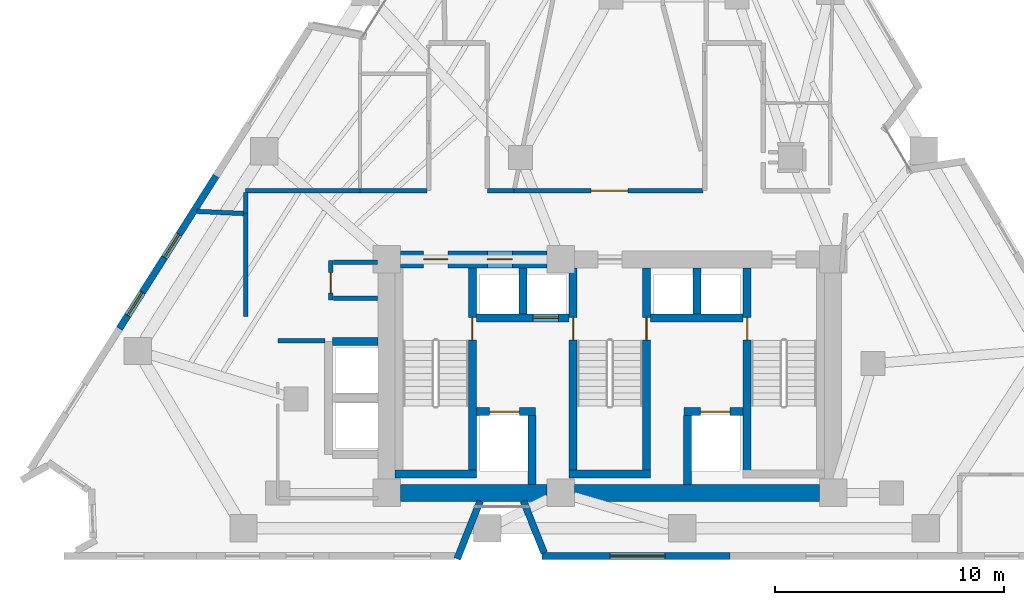
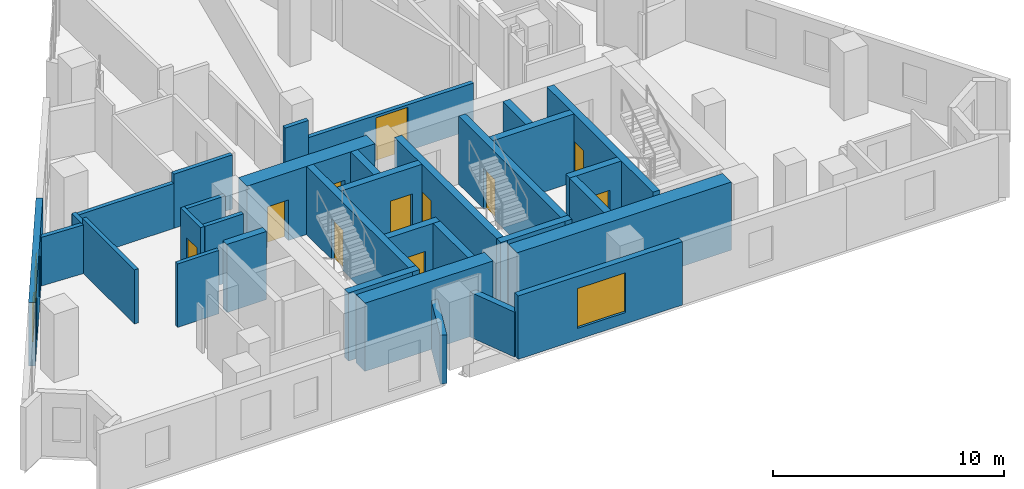
# One storey, part 6 of 11: 33 walls, 11 doors, 3 windows, 14 openings.
"""IFC4 building model written with IfcOpenShell, lengths in metres."""

from ifc_helpers import new_model, si_unit, direction, frame, frame_2d, origin, place, context, subcontext, project, spatial, rectangle, extrude, material, layer, layer_set, type_object, element, fill, save


model = new_model("IFC4")

# Units and contexts
model_context = context("Model", 3, precision=1e-05, world=origin(), true_north=direction((0.0, 1.0)))
body_context = subcontext(model_context, "Body", "Model", "MODEL_VIEW")
ifc_project = project(units=[si_unit("LENGTHUNIT", "METRE"), si_unit("AREAUNIT", "SQUARE_METRE"), si_unit("VOLUMEUNIT", "CUBIC_METRE"), si_unit("PLANEANGLEUNIT", "RADIAN"), si_unit("MASSUNIT", "GRAM", prefix="KILO")], contexts=[model_context])

# Site, building, storey
site_placement = place(None, origin())
site = spatial("IfcSite", under=ifc_project, at=site_placement, CompositionType="ELEMENT")
building_placement = place(site_placement, origin())
building = spatial("IfcBuilding", under=site, at=building_placement, Name="Almagre Mirador Tower", CompositionType="ELEMENT")
storey_placement = place(building_placement, frame((0.0, 0.0, 124.800048828125)))
storey = spatial("IfcBuildingStorey", under=building, at=storey_placement, Name="L31", CompositionType="ELEMENT", Elevation=124.800048828125)

# Wall, opening, window
ifc_material_1 = material(Name="Precast concrete C50/60", Category="concrete")
ifc_layer_1 = layer(ifc_material_1, 0.300048828125)
ifc_layer_set_1 = layer_set([ifc_layer_1], Name="Precast concrete C50/60")
wall_type_1 = type_object("IfcWallType", Name="WAL-EXT-300", PredefinedType="SOLIDWALL", material=ifc_layer_set_1)
wall_1_placement = place(storey_placement, frame((42.542724609375, 1.800048828125, 0.0), z_axis=(0.0, 0.0, 1.0), x_axis=(-1.0, 0.0, 0.0)))
wall_1 = element("IfcWall", 1, at=wall_1_placement, inside=storey, type_object=wall_type_1, Name="L31 expressed almagre precast frame wall 23", PredefinedType="SOLIDWALL", context=body_context, shape_type="SweptSolid", body=[
    extrude(rectangle(XDim=8.19873046875, YDim=0.300048828125, at=frame_2d((4.099365234375, 0.0))), origin(), (0.0, 0.0, 1.0), 3.349853515625),
])
opening_1_placement = place(wall_1_placement, frame((2.824951171875, 0.0, 0.60009765625)))
opening_1 = element("IfcOpeningElement", 2, at=opening_1_placement, cuts=wall_1, Name="Opening WN-02", PredefinedType="OPENING", context=body_context, shape_type="SweptSolid", body=[
    extrude(rectangle(XDim=2.39990234375, YDim=2.10009765625, at=frame_2d((1.199951171875, 1.050048828125))), frame((0.0, 0.159902, 0.0), z_axis=(0.0, -1.0, 0.0), x_axis=(1.0, 0.0, 0.0)), (0.0, 0.0, 1.0), 0.320049),
])
ifc_material_2 = material(Name="Dark solar-control laminated hurricane glass", Category="glass")
window_type_1 = type_object("IfcWindowType", Name="WIN-2400X2100", PartitioningType="TRIPLE_PANEL_VERTICAL", PredefinedType="WINDOW", material=ifc_material_2)
window_1_placement = place(opening_1_placement, origin())
window_1 = element("IfcWindow", 3, at=window_1_placement, inside=storey, type_object=window_type_1, Name="L31 recessed hurricane window L31-RST-B", OverallHeight=2.10009765625, OverallWidth=2.39990234375, PartitioningType="SINGLE_PANEL", PredefinedType="WINDOW", context=body_context, shape_type="SweptSolid", body=[
    extrude(rectangle(XDim=2.39990234375, YDim=2.10009765625, at=frame_2d((1.199951171875, 1.050048828125))), frame((0.0, 0.030029296875, 0.0), z_axis=(0.0, -1.0, 0.0), x_axis=(1.0, 0.0, 0.0)), (0.0, 0.0, 1.0), 0.06005859375),
])
fill(opening_1, window_1)

# Walls
wall_2_placement = place(storey_placement, frame((34.43212890625, 1.93017578125, 0.0), z_axis=(0.0, 0.0, 1.0), x_axis=(-0.369476217581, 0.929240186734, 0.0)))
element("IfcWall", 4, at=wall_2_placement, inside=storey, type_object=wall_type_1, Name="L31 expressed almagre precast frame wall 24", PredefinedType="SOLIDWALL", context=body_context, shape_type="SweptSolid", body=[
    extrude(rectangle(XDim=2.441650390625, YDim=0.300048828125, at=frame_2d((1.220703125, 0.0))), origin(), (0.0, 0.0, 1.0), 2.376953125),
])
wall_3_placement = place(storey_placement, frame((31.637939453125, 4.198974609375, 0.0), z_axis=(0.0, 0.0, 1.0), x_axis=(-0.369487569888, -0.929235672851, 0.0)))
element("IfcWall", 5, at=wall_3_placement, inside=storey, type_object=wall_type_1, Name="L31 expressed almagre precast frame wall 25", PredefinedType="SOLIDWALL", context=body_context, shape_type="SweptSolid", body=[
    extrude(rectangle(XDim=2.7216796875, YDim=0.300048828125, at=frame_2d((1.36083984375, 0.0))), origin(), (0.0, 0.0, 1.0), 2.574951171875),
])

# Wall, openings, windows
wall_4_placement = place(storey_placement, frame((15.884033203125, 11.727783203125, 0.0), z_axis=(0.0, 0.0, 1.0), x_axis=(0.534871703897, 0.844933287527, 0.0)))
wall_4 = element("IfcWall", 6, at=wall_4_placement, inside=storey, type_object=wall_type_1, Name="L31 expressed almagre precast frame wall 34", PredefinedType="SOLIDWALL", context=body_context, shape_type="SweptSolid", body=[
    extrude(rectangle(XDim=7.8896484375, YDim=0.300048828125, at=frame_2d((3.94482421875, 0.0))), origin(), (0.0, 0.0, 1.0), 3.349853515625),
])
opening_2_placement = place(wall_4_placement, frame((3.675048828125, 0.0, 0.800048828125)))
opening_2 = element("IfcOpeningElement", 7, at=opening_2_placement, cuts=wall_4, Name="Opening WN-04", PredefinedType="OPENING", context=body_context, shape_type="SweptSolid", body=[
    extrude(rectangle(XDim=1.199951171875, YDim=1.800048828125, at=frame_2d((0.60009765625, 0.89990234375))), frame((0.0, 0.159902, 0.0), z_axis=(0.0, -1.0, 0.0), x_axis=(1.0, 0.0, 0.0)), (0.0, 0.0, 1.0), 0.320049),
])
opening_3_placement = place(wall_4_placement, frame((0.675048828125, 0.0, 0.800048828125)))
opening_3 = element("IfcOpeningElement", 8, at=opening_3_placement, cuts=wall_4, Name="Opening WN-04", PredefinedType="OPENING", context=body_context, shape_type="SweptSolid", body=[
    extrude(rectangle(XDim=1.199951171875, YDim=1.800048828125, at=frame_2d((0.60009765625, 0.89990234375))), frame((0.0, 0.159902, 0.0), z_axis=(0.0, -1.0, 0.0), x_axis=(1.0, 0.0, 0.0)), (0.0, 0.0, 1.0), 0.320049),
])
ifc_material_3 = material(Name="Dark solar-control laminated hurricane glass", Category="glass")
window_type_2 = type_object("IfcWindowType", Name="WIN-1200X1800", PartitioningType="SINGLE_PANEL", PredefinedType="WINDOW", material=ifc_material_3)
window_2_placement = place(opening_2_placement, origin())
window_2 = element("IfcWindow", 9, at=window_2_placement, inside=storey, type_object=window_type_2, Name="L31 recessed hurricane window L31-UD-ST", OverallHeight=1.800048828125, OverallWidth=1.199951171875, PartitioningType="SINGLE_PANEL", PredefinedType="WINDOW", context=body_context, shape_type="SweptSolid", body=[
    extrude(rectangle(XDim=1.199951171875, YDim=1.800048828125, at=frame_2d((0.60009765625, 0.89990234375))), frame((0.0, 0.030029296875, 0.0), z_axis=(0.0, -1.0, 0.0), x_axis=(1.0, 0.0, 0.0)), (0.0, 0.0, 1.0), 0.06005859375),
])
fill(opening_2, window_2)
window_3_placement = place(opening_3_placement, origin())
window_3 = element("IfcWindow", 10, at=window_3_placement, inside=storey, type_object=window_type_2, Name="L31 recessed hurricane window L31-UD-KT", OverallHeight=1.800048828125, OverallWidth=1.199951171875, PartitioningType="SINGLE_PANEL", PredefinedType="WINDOW", context=body_context, shape_type="SweptSolid", body=[
    extrude(rectangle(XDim=1.199951171875, YDim=1.800048828125, at=frame_2d((0.60009765625, 0.89990234375))), frame((0.0, 0.030029296875, 0.0), z_axis=(0.0, -1.0, 0.0), x_axis=(1.0, 0.0, 0.0)), (0.0, 0.0, 1.0), 0.06005859375),
])
fill(opening_3, window_3)

# Wall, opening, door
ifc_material_4 = material(Name="Gypsum acoustic stud partition", Category="other")
ifc_layer_2 = layer(ifc_material_4, 0.199951171875)
ifc_layer_set_2 = layer_set([ifc_layer_2], Name="Gypsum acoustic stud partition")
wall_type_2 = type_object("IfcWallType", Name="WAL-PRT-200-EI60", PredefinedType="PARTITIONING", material=ifc_layer_set_2)
wall_5_placement = place(storey_placement, frame((25.1201171875, 12.969970703125, 0.0), z_axis=(0.0, 0.0, 1.0), x_axis=(0.0, 1.0, 0.0)))
wall_5 = element("IfcWall", 11, at=wall_5_placement, inside=storey, type_object=wall_type_2, Name="L31 core ancillary west wall", PredefinedType="PARTITIONING", context=body_context, shape_type="SweptSolid", body=[
    extrude(rectangle(XDim=1.739990234375, YDim=0.199951171875, at=frame_2d((0.8701171875, 0.0))), origin(), (0.0, 0.0, 1.0), 3.349853515625),
])
opening_4_placement = place(wall_5_placement, frame((0.304931640625, 0.0, 0.0)))
opening_4 = element("IfcOpeningElement", 12, at=opening_4_placement, cuts=wall_5, Name="Opening ID-03", PredefinedType="OPENING", context=body_context, shape_type="SweptSolid", body=[
    extrude(rectangle(XDim=0.89990234375, YDim=2.10009765625, at=frame_2d((0.449951171875, 1.050048828125))), frame((0.0, 0.110098, 0.0), z_axis=(0.0, -1.0, 0.0), x_axis=(1.0, 0.0, 0.0)), (0.0, 0.0, 1.0), 0.219951),
])
ifc_material_5 = material(Name="Fire-rated hollow steel", Category="steel")
door_type_1 = type_object("IfcDoorType", Name="DOR-FD60-900X2100", OperationType="NOTDEFINED", PredefinedType="DOOR", material=ifc_material_5)
door_1_placement = place(opening_4_placement, origin())
door_1 = element("IfcDoor", 13, at=door_1_placement, inside=storey, type_object=door_type_1, Name="DR-1015 L31 core ancillary corridor door", OperationType="SINGLE_SWING_LEFT", OverallHeight=2.10009765625, OverallWidth=0.89990234375, PredefinedType="DOOR", context=body_context, shape_type="SweptSolid", body=[
    extrude(rectangle(XDim=0.89990234375, YDim=2.10009765625, at=frame_2d((0.449951171875, 1.050048828125))), frame((0.0, 0.02490234375, 0.0), z_axis=(0.0, -1.0, 0.0), x_axis=(1.0, 0.0, 0.0)), (0.0, 0.0, 1.0), 0.050048828125),
])
fill(opening_4, door_1)

# Walls
for number, where, z_axis, x_axis, name in (
    (14, (25.22509765625, 14.6201171875, 0.0), (0.0, 0.0, 1.0), (1.0, 0.0, 0.0), "L31 core ancillary north wall"),
    (15, (25.22509765625, 13.06005859375, 0.0), (0.0, 0.0, 1.0), (1.0, 0.0, 0.0), "L31 core ancillary south wall"),
):
    element("IfcWall", number, at=place(storey_placement, frame(where, z_axis=z_axis, x_axis=x_axis)), inside=storey, type_object=wall_type_2, Name=name, PredefinedType="PARTITIONING", context=body_context, shape_type="SweptSolid", body=[
        extrude(rectangle(XDim=1.934814453125, YDim=0.199951171875, at=frame_2d((0.96728515625, 0.0))), origin(), (0.0, 0.0, 1.0), 3.349853515625),
    ])
wall_6_placement = place(storey_placement, frame((22.800048828125, 11.199951171875, 0.0), z_axis=(0.0, 0.0, 1.0), x_axis=(1.0, 0.0, 0.0)))
element("IfcWall", 16, at=wall_6_placement, inside=storey, type_object=wall_type_2, Name="L31 interior partition 001", PredefinedType="PARTITIONING", context=body_context, shape_type="SweptSolid", body=[
    extrude(rectangle(XDim=2.069091796875, YDim=0.199951171875, at=frame_2d((1.03466796875, 0.0))), origin(), (0.0, 0.0, 1.0), 3.349853515625),
])
wall_7_placement = place(storey_placement, frame((21.39990234375, 16.75, 0.0), z_axis=(0.0, 0.0, 1.0), x_axis=(0.0, -1.0, 0.0)))
element("IfcWall", 17, at=wall_7_placement, inside=storey, type_object=wall_type_2, Name="L31 interior partition 003", PredefinedType="PARTITIONING", context=body_context, shape_type="SweptSolid", body=[
    extrude(rectangle(XDim=4.5, YDim=0.199951171875, at=frame_2d((2.25, 0.0))), origin(), (0.0, 0.0, 1.0), 2.85986328125),
])
wall_8_placement = place(storey_placement, frame((26.389892578125, 17.75, 0.0), z_axis=(0.0, 0.0, 1.0), x_axis=(-1.0, 0.0, 0.0)))
element("IfcWall", 18, at=wall_8_placement, inside=storey, type_object=wall_type_2, Name="L31 interior partition 004", PredefinedType="PARTITIONING", context=body_context, shape_type="SweptSolid", body=[
    extrude(rectangle(XDim=4.989990234375, YDim=0.199951171875, at=frame_2d((2.4951171875, 0.0))), origin(), (0.0, 0.0, 1.0), 2.3720703125),
])
wall_9_placement = place(storey_placement, frame((21.39990234375, 17.6650390625, 0.0), z_axis=(0.0, 0.0, 1.0), x_axis=(0.0, -1.0, 0.0)))
element("IfcWall", 19, at=wall_9_placement, inside=storey, type_object=wall_type_2, Name="L31 interior partition 005", PredefinedType="PARTITIONING", context=body_context, shape_type="SweptSolid", body=[
    extrude(rectangle(XDim=0.9150390625, YDim=0.199951171875, at=frame_2d((0.45751953125, 0.0))), origin(), (0.0, 0.0, 1.0), 2.570068359375),
])
wall_10_placement = place(storey_placement, frame((29.31494140625, 17.75, 0.0), z_axis=(0.0, 0.0, 1.0), x_axis=(-1.0, 0.0, 0.0)))
element("IfcWall", 20, at=wall_10_placement, inside=storey, type_object=wall_type_2, Name="L31 interior partition 007", PredefinedType="PARTITIONING", context=body_context, shape_type="SweptSolid", body=[
    extrude(rectangle(XDim=2.925048828125, YDim=0.199951171875, at=frame_2d((1.46240234375, 0.0))), origin(), (0.0, 0.0, 1.0), 2.85986328125),
])

# Wall, opening, door
wall_11_placement = place(storey_placement, frame((41.364990234375, 17.75, 0.0), z_axis=(0.0, 0.0, 1.0), x_axis=(-1.0, 0.0, 0.0)))
wall_11 = element("IfcWall", 21, at=wall_11_placement, inside=storey, type_object=wall_type_2, Name="L31 interior partition 011", PredefinedType="PARTITIONING", context=body_context, shape_type="SweptSolid", body=[
    extrude(rectangle(XDim=8.244873046875, YDim=0.199951171875, at=frame_2d((4.12255859375, 0.0))), origin(), (0.0, 0.0, 1.0), 2.43603515625),
])
opening_5_placement = place(wall_11_placement, frame((3.280029296875, 0.0, 0.0)))
opening_5 = element("IfcOpeningElement", 22, at=opening_5_placement, cuts=wall_11, Name="Opening ID-05", PredefinedType="OPENING", context=body_context, shape_type="SweptSolid", body=[
    extrude(rectangle(XDim=1.60009765625, YDim=2.300048828125, at=frame_2d((0.800048828125, 1.14990234375))), frame((0.0, 0.110098, 0.0), z_axis=(0.0, -1.0, 0.0), x_axis=(1.0, 0.0, 0.0)), (0.0, 0.0, 1.0), 0.219951),
])
ifc_material_6 = material(Name="Fire-rated acoustic timber", Category="wood")
door_type_2 = type_object("IfcDoorType", Name="DOR-FD60-1600X2300", OperationType="DOUBLE_DOOR_SINGLE_SWING", PredefinedType="DOOR", material=ifc_material_6)
door_2_placement = place(opening_5_placement, origin())
door_2 = element("IfcDoor", 23, at=door_2_placement, inside=storey, type_object=door_type_2, Name="DR-1020 L31 interior door L31-RCOR to L31-RST-G", OperationType="DOUBLE_DOOR_SINGLE_SWING", OverallHeight=2.300048828125, OverallWidth=1.60009765625, PredefinedType="DOOR", context=body_context, shape_type="SweptSolid", body=[
    extrude(rectangle(XDim=1.60009765625, YDim=2.300048828125, at=frame_2d((0.800048828125, 1.14990234375))), frame((0.0, 0.02490234375, 0.0), z_axis=(0.0, -1.0, 0.0), x_axis=(1.0, 0.0, 0.0)), (0.0, 0.0, 1.0), 0.050048828125),
])
fill(opening_5, door_2)

# Walls
wall_12_placement = place(storey_placement, frame((33.1201171875, 17.75, 0.0), z_axis=(0.0, 0.0, 1.0), x_axis=(-1.0, 0.0, 0.0)))
element("IfcWall", 24, at=wall_12_placement, inside=storey, type_object=wall_type_2, Name="L31 interior partition 017", PredefinedType="PARTITIONING", context=body_context, shape_type="SweptSolid", body=[
    extrude(rectangle(XDim=1.170166015625, YDim=0.199951171875, at=frame_2d((0.5849609375, 0.0))), origin(), (0.0, 0.0, 1.0), 3.349853515625),
])
wall_13_placement = place(storey_placement, frame((21.315185546875, 16.7529296875, 0.0), z_axis=(0.0, 0.0, 1.0), x_axis=(-0.998928926466, 0.046270939795, 0.0)))
element("IfcWall", 25, at=wall_13_placement, inside=storey, type_object=wall_type_2, Name="L31 interior partition 043", PredefinedType="PARTITIONING", context=body_context, shape_type="SweptSolid", body=[
    extrude(rectangle(XDim=2.052490234375, YDim=0.199951171875, at=frame_2d((1.0263671875, 0.0))), origin(), (0.0, 0.0, 1.0), 2.570068359375),
])

# Wall, opening, door
ifc_material_7 = material(Name="Concrete C60/75", Category="concrete")
ifc_layer_3 = layer(ifc_material_7, 0.35009765625)
ifc_layer_set_3 = layer_set([ifc_layer_3], Name="Concrete C60/75")
wall_type_3 = type_object("IfcWallType", Name="WAL-SHF-350", PredefinedType="SOLIDWALL", material=ifc_layer_set_3)
wall_14_placement = place(storey_placement, frame((31.300048828125, 5.199951171875, 0.0), z_axis=(0.0, 0.0, 1.0), x_axis=(0.0, 1.0, 0.0)))
wall_14 = element("IfcWall", 26, at=wall_14_placement, inside=storey, type_object=wall_type_3, Name="L31 shaft wall ST1-E", PredefinedType="SOLIDWALL", context=body_context, shape_type="SweptSolid", body=[
    extrude(rectangle(XDim=9.175048828125, YDim=0.35009765625, at=frame_2d((4.58740234375, 0.0))), origin(), (0.0, 0.0, 1.0), 3.599853515625),
])
opening_6_placement = place(wall_14_placement, frame((6.02001953125, 0.0, 0.0)))
opening_6 = element("IfcOpeningElement", 27, at=opening_6_placement, cuts=wall_14, Name="Opening FD-01", PredefinedType="OPENING", context=body_context, shape_type="SweptSolid", body=[
    extrude(rectangle(XDim=1.0, YDim=2.14990234375, at=frame_2d((0.5, 1.074951171875))), frame((0.0, 0.185049, 0.0), z_axis=(0.0, -1.0, 0.0), x_axis=(1.0, 0.0, 0.0)), (0.0, 0.0, 1.0), 0.370098),
])
ifc_material_8 = material(Name="Fire-rated hollow steel", Category="steel")
door_type_3 = type_object("IfcDoorType", Name="DOR-FFL-1000X2150", OperationType="NOTDEFINED", PredefinedType="DOOR", material=ifc_material_8)
door_3_placement = place(opening_6_placement, origin())
door_3 = element("IfcDoor", 28, at=door_3_placement, inside=storey, type_object=door_type_3, Name="DR-1016 L31 FFL1-ST1 smokeproof door", OperationType="SINGLE_SWING_LEFT", OverallHeight=2.14990234375, OverallWidth=1.0, PredefinedType="DOOR", context=body_context, shape_type="SweptSolid", body=[
    extrude(rectangle(XDim=1.0, YDim=2.14990234375, at=frame_2d((0.5, 1.074951171875))), frame((0.0, 0.02490234375, 0.0), z_axis=(0.0, -1.0, 0.0), x_axis=(1.0, 0.0, 0.0)), (0.0, 0.0, 1.0), 0.050048828125),
])
fill(opening_6, door_3)

# Wall
wall_15_placement = place(storey_placement, frame((27.925048828125, 5.375, 0.0), z_axis=(0.0, 0.0, 1.0), x_axis=(1.0, 0.0, 0.0)))
element("IfcWall", 29, at=wall_15_placement, inside=storey, type_object=wall_type_3, Name="L31 shaft wall ST1-S", PredefinedType="SOLIDWALL", context=body_context, shape_type="SweptSolid", body=[
    extrude(rectangle(XDim=3.550048828125, YDim=0.35009765625, at=frame_2d((1.77490234375, 0.0))), origin(), (0.0, 0.0, 1.0), 3.599853515625),
])

# Wall, opening, door
wall_16_placement = place(storey_placement, frame((35.699951171875, 5.199951171875, 0.0), z_axis=(0.0, 0.0, 1.0), x_axis=(0.0, 1.0, 0.0)))
wall_16 = element("IfcWall", 30, at=wall_16_placement, inside=storey, type_object=wall_type_3, Name="L31 shaft wall ST2-W", PredefinedType="SOLIDWALL", context=body_context, shape_type="SweptSolid", body=[
    extrude(rectangle(XDim=9.175048828125, YDim=0.35009765625, at=frame_2d((4.58740234375, 0.0))), origin(), (0.0, 0.0, 1.0), 3.599853515625),
])
opening_7_placement = place(wall_16_placement, frame((6.02001953125, 0.0, 0.0)))
opening_7 = element("IfcOpeningElement", 31, at=opening_7_placement, cuts=wall_16, Name="Opening FD-01", PredefinedType="OPENING", context=body_context, shape_type="SweptSolid", body=[
    extrude(rectangle(XDim=1.0, YDim=2.14990234375, at=frame_2d((0.5, 1.074951171875))), frame((0.0, 0.185049, 0.0), z_axis=(0.0, -1.0, 0.0), x_axis=(1.0, 0.0, 0.0)), (0.0, 0.0, 1.0), 0.370098),
])
door_4_placement = place(opening_7_placement, origin())
door_4 = element("IfcDoor", 32, at=door_4_placement, inside=storey, type_object=door_type_3, Name="DR-1017 L31 FFL1-ST2 smokeproof door", OperationType="SINGLE_SWING_RIGHT", OverallHeight=2.14990234375, OverallWidth=1.0, PredefinedType="DOOR", context=body_context, shape_type="SweptSolid", body=[
    extrude(rectangle(XDim=1.0, YDim=2.14990234375, at=frame_2d((0.5, 1.074951171875))), frame((0.0, 0.02490234375, 0.0), z_axis=(0.0, -1.0, 0.0), x_axis=(1.0, 0.0, 0.0)), (0.0, 0.0, 1.0), 0.050048828125),
])
fill(opening_7, door_4)

wall_17_placement = place(storey_placement, frame((38.89990234375, 5.199951171875, 0.0), z_axis=(0.0, 0.0, 1.0), x_axis=(0.0, 1.0, 0.0)))
wall_17 = element("IfcWall", 33, at=wall_17_placement, inside=storey, type_object=wall_type_3, Name="L31 shaft wall ST2-E", PredefinedType="SOLIDWALL", context=body_context, shape_type="SweptSolid", body=[
    extrude(rectangle(XDim=9.175048828125, YDim=0.35009765625, at=frame_2d((4.58740234375, 0.0))), origin(), (0.0, 0.0, 1.0), 3.599853515625),
])
opening_8_placement = place(wall_17_placement, frame((6.02001953125, 0.0, 0.0)))
opening_8 = element("IfcOpeningElement", 34, at=opening_8_placement, cuts=wall_17, Name="Opening FD-01", PredefinedType="OPENING", context=body_context, shape_type="SweptSolid", body=[
    extrude(rectangle(XDim=1.0, YDim=2.14990234375, at=frame_2d((0.5, 1.074951171875))), frame((0.0, 0.185049, 0.0), z_axis=(0.0, -1.0, 0.0), x_axis=(1.0, 0.0, 0.0)), (0.0, 0.0, 1.0), 0.370098),
])
door_5_placement = place(opening_8_placement, origin())
door_5 = element("IfcDoor", 35, at=door_5_placement, inside=storey, type_object=door_type_3, Name="DR-1018 L31 FFL2-ST2 smokeproof door", OperationType="SINGLE_SWING_LEFT", OverallHeight=2.14990234375, OverallWidth=1.0, PredefinedType="DOOR", context=body_context, shape_type="SweptSolid", body=[
    extrude(rectangle(XDim=1.0, YDim=2.14990234375, at=frame_2d((0.5, 1.074951171875))), frame((0.0, 0.02490234375, 0.0), z_axis=(0.0, -1.0, 0.0), x_axis=(1.0, 0.0, 0.0)), (0.0, 0.0, 1.0), 0.050048828125),
])
fill(opening_8, door_5)

# Wall
wall_18_placement = place(storey_placement, frame((35.52490234375, 5.375, 0.0), z_axis=(0.0, 0.0, 1.0), x_axis=(1.0, 0.0, 0.0)))
element("IfcWall", 36, at=wall_18_placement, inside=storey, type_object=wall_type_3, Name="L31 shaft wall ST2-S", PredefinedType="SOLIDWALL", context=body_context, shape_type="SweptSolid", body=[
    extrude(rectangle(XDim=3.550048828125, YDim=0.35009765625, at=frame_2d((1.77490234375, 0.0))), origin(), (0.0, 0.0, 1.0), 3.599853515625),
])

# Wall, opening, door
wall_19_placement = place(storey_placement, frame((43.300048828125, 5.199951171875, 0.0), z_axis=(0.0, 0.0, 1.0), x_axis=(0.0, 1.0, 0.0)))
wall_19 = element("IfcWall", 37, at=wall_19_placement, inside=storey, type_object=wall_type_3, Name="L31 shaft wall ST3-W", PredefinedType="SOLIDWALL", context=body_context, shape_type="SweptSolid", body=[
    extrude(rectangle(XDim=9.175048828125, YDim=0.35009765625, at=frame_2d((4.58740234375, 0.0))), origin(), (0.0, 0.0, 1.0), 3.599853515625),
])
opening_9_placement = place(wall_19_placement, frame((6.02001953125, 0.0, 0.0)))
opening_9 = element("IfcOpeningElement", 38, at=opening_9_placement, cuts=wall_19, Name="Opening FD-01", PredefinedType="OPENING", context=body_context, shape_type="SweptSolid", body=[
    extrude(rectangle(XDim=1.0, YDim=2.14990234375, at=frame_2d((0.5, 1.074951171875))), frame((0.0, 0.185049, 0.0), z_axis=(0.0, -1.0, 0.0), x_axis=(1.0, 0.0, 0.0)), (0.0, 0.0, 1.0), 0.370098),
])
door_6_placement = place(opening_9_placement, origin())
door_6 = element("IfcDoor", 39, at=door_6_placement, inside=storey, type_object=door_type_3, Name="DR-1019 L31 FFL2-ST3 smokeproof door", OperationType="SINGLE_SWING_RIGHT", OverallHeight=2.14990234375, OverallWidth=1.0, PredefinedType="DOOR", context=body_context, shape_type="SweptSolid", body=[
    extrude(rectangle(XDim=1.0, YDim=2.14990234375, at=frame_2d((0.5, 1.074951171875))), frame((0.0, 0.02490234375, 0.0), z_axis=(0.0, -1.0, 0.0), x_axis=(1.0, 0.0, 0.0)), (0.0, 0.0, 1.0), 0.050048828125),
])
fill(opening_9, door_6)

wall_20_placement = place(storey_placement, frame((31.47509765625, 8.10009765625, 0.0), z_axis=(0.0, 0.0, 1.0), x_axis=(1.0, 0.0, 0.0)))
wall_20 = element("IfcWall", 40, at=wall_20_placement, inside=storey, type_object=wall_type_3, Name="L31 shaft wall FSAE1-N", PredefinedType="SOLIDWALL", context=body_context, shape_type="SweptSolid", body=[
    extrude(rectangle(XDim=2.574951171875, YDim=0.35009765625, at=frame_2d((1.28759765625, 0.0))), origin(), (0.0, 0.0, 1.0), 3.599853515625),
])
opening_10_placement = place(wall_20_placement, frame((0.574951171875, 0.0, 0.0)))
opening_10 = element("IfcOpeningElement", 41, at=opening_10_placement, cuts=wall_20, Name="Opening LD-03", PredefinedType="OPENING", context=body_context, shape_type="SweptSolid", body=[
    extrude(rectangle(XDim=1.300048828125, YDim=2.25, at=frame_2d((0.64990234375, 1.125))), frame((0.0, 0.185049, 0.0), z_axis=(0.0, -1.0, 0.0), x_axis=(1.0, 0.0, 0.0)), (0.0, 0.0, 1.0), 0.370098),
])
ifc_material_9 = material(Name="Hollow stainless steel", Category="steel")
door_type_4 = type_object("IfcDoorType", Name="DOR-LD-1300X2250", OperationType="DOUBLE_DOOR_SLIDING", PredefinedType="DOOR", material=ifc_material_9)
door_7_placement = place(opening_10_placement, origin())
door_7 = element("IfcDoor", 42, at=door_7_placement, inside=storey, type_object=door_type_4, Name="DR-1030 L31 FSAE-1 lift landing door", OperationType="DOUBLE_DOOR_SLIDING", OverallHeight=2.25, OverallWidth=1.300048828125, PredefinedType="DOOR", context=body_context, shape_type="SweptSolid", body=[
    extrude(rectangle(XDim=1.300048828125, YDim=2.25, at=frame_2d((0.64990234375, 1.125))), frame((0.0, 0.02490234375, 0.0), z_axis=(0.0, -1.0, 0.0), x_axis=(1.0, 0.0, 0.0)), (0.0, 0.0, 1.0), 0.050048828125),
])
fill(opening_10, door_7)

wall_21_placement = place(storey_placement, frame((40.550048828125, 8.10009765625, 0.0), z_axis=(0.0, 0.0, 1.0), x_axis=(1.0, 0.0, 0.0)))
wall_21 = element("IfcWall", 43, at=wall_21_placement, inside=storey, type_object=wall_type_3, Name="L31 shaft wall FSAE2-N", PredefinedType="SOLIDWALL", context=body_context, shape_type="SweptSolid", body=[
    extrude(rectangle(XDim=2.574951171875, YDim=0.35009765625, at=frame_2d((1.28759765625, 0.0))), origin(), (0.0, 0.0, 1.0), 3.599853515625),
])
opening_11_placement = place(wall_21_placement, frame((0.699951171875, 0.0, 0.0)))
opening_11 = element("IfcOpeningElement", 44, at=opening_11_placement, cuts=wall_21, Name="Opening LD-03", PredefinedType="OPENING", context=body_context, shape_type="SweptSolid", body=[
    extrude(rectangle(XDim=1.300048828125, YDim=2.25, at=frame_2d((0.64990234375, 1.125))), frame((0.0, 0.185049, 0.0), z_axis=(0.0, -1.0, 0.0), x_axis=(1.0, 0.0, 0.0)), (0.0, 0.0, 1.0), 0.370098),
])
door_8_placement = place(opening_11_placement, origin())
door_8 = element("IfcDoor", 45, at=door_8_placement, inside=storey, type_object=door_type_4, Name="DR-1031 L31 FSAE-2 lift landing door", OperationType="DOUBLE_DOOR_SLIDING", OverallHeight=2.25, OverallWidth=1.300048828125, PredefinedType="DOOR", context=body_context, shape_type="SweptSolid", body=[
    extrude(rectangle(XDim=1.300048828125, YDim=2.25, at=frame_2d((0.64990234375, 1.125))), frame((0.0, 0.02490234375, 0.0), z_axis=(0.0, -1.0, 0.0), x_axis=(1.0, 0.0, 0.0)), (0.0, 0.0, 1.0), 0.050048828125),
])
fill(opening_11, door_8)

# Walls
for number, where, z_axis, x_axis, name in (
    (46, (33.89990234375, 4.925048828125, 0.0), (0.0, 0.0, 1.0), (0.0, 1.0, 0.0), "L31 shaft wall FSAE1-E"),
    (47, (40.699951171875, 4.925048828125, 0.0), (0.0, 0.0, 1.0), (0.0, 1.0, 0.0), "L31 shaft wall FSAE2-W"),
):
    element("IfcWall", number, at=place(storey_placement, frame(where, z_axis=z_axis, x_axis=x_axis)), inside=storey, type_object=wall_type_3, Name=name, PredefinedType="SOLIDWALL", context=body_context, shape_type="SweptSolid", body=[
        extrude(rectangle(XDim=3.0, YDim=0.35009765625, at=frame_2d((1.5, 0.0))), origin(), (0.0, 0.0, 1.0), 3.599853515625),
    ])

# Wall, opening, door
wall_22_placement = place(storey_placement, frame((31.47509765625, 12.199951171875, 0.0), z_axis=(0.0, 0.0, 1.0), x_axis=(1.0, 0.0, 0.0)))
wall_22 = element("IfcWall", 48, at=wall_22_placement, inside=storey, type_object=wall_type_3, Name="L31 shaft wall PLM-S", PredefinedType="SOLIDWALL", context=body_context, shape_type="SweptSolid", body=[
    extrude(rectangle(XDim=4.0498046875, YDim=0.35009765625, at=frame_2d((2.02490234375, 0.0))), origin(), (0.0, 0.0, 1.0), 3.599853515625),
])
opening_12_placement = place(wall_22_placement, frame((2.47509765625, 0.0, 0.0)))
opening_12 = element("IfcOpeningElement", 49, at=opening_12_placement, cuts=wall_22, Name="Opening LD-01", PredefinedType="OPENING", context=body_context, shape_type="SweptSolid", body=[
    extrude(rectangle(XDim=1.10009765625, YDim=2.199951171875, at=frame_2d((0.550048828125, 1.10009765625))), frame((0.0, 0.185049, 0.0), z_axis=(0.0, -1.0, 0.0), x_axis=(1.0, 0.0, 0.0)), (0.0, 0.0, 1.0), 0.370098),
])
ifc_material_10 = material(Name="Hollow stainless steel", Category="steel")
door_type_5 = type_object("IfcDoorType", Name="DOR-LD-1100X2200", OperationType="DOUBLE_DOOR_SLIDING", PredefinedType="DOOR", material=ifc_material_10)
door_9_placement = place(opening_12_placement, origin())
door_9 = element("IfcDoor", 50, at=door_9_placement, inside=storey, type_object=door_type_5, Name="DR-1033 L31 PL-M2 lift landing door", OperationType="DOUBLE_DOOR_SLIDING", OverallHeight=2.199951171875, OverallWidth=1.10009765625, PredefinedType="DOOR", context=body_context, shape_type="SweptSolid", body=[
    extrude(rectangle(XDim=1.10009765625, YDim=2.199951171875, at=frame_2d((0.550048828125, 1.10009765625))), frame((0.0, 0.02490234375, 0.0), z_axis=(0.0, -1.0, 0.0), x_axis=(1.0, 0.0, 0.0)), (0.0, 0.0, 1.0), 0.050048828125),
])
fill(opening_12, door_9)

# Walls
wall_23_placement = place(storey_placement, frame((33.5, 12.375, 0.0), z_axis=(0.0, 0.0, 1.0), x_axis=(0.0, 1.0, 0.0)))
element("IfcWall", 51, at=wall_23_placement, inside=storey, type_object=wall_type_3, Name="L31 shaft wall PLM-M", PredefinedType="SOLIDWALL", context=body_context, shape_type="SweptSolid", body=[
    extrude(rectangle(XDim=2.0, YDim=0.35009765625, at=frame_2d((1.0, 0.0))), origin(), (0.0, 0.0, 1.0), 3.599853515625),
])
wall_24_placement = place(storey_placement, frame((39.074951171875, 12.199951171875, 0.0), z_axis=(0.0, 0.0, 1.0), x_axis=(1.0, 0.0, 0.0)))
element("IfcWall", 52, at=wall_24_placement, inside=storey, type_object=wall_type_3, Name="L31 shaft wall PLH-S", PredefinedType="SOLIDWALL", context=body_context, shape_type="SweptSolid", body=[
    extrude(rectangle(XDim=4.050048828125, YDim=0.35009765625, at=frame_2d((2.02490234375, 0.0))), origin(), (0.0, 0.0, 1.0), 3.599853515625),
])
wall_25_placement = place(storey_placement, frame((41.10009765625, 12.375, 0.0), z_axis=(0.0, 0.0, 1.0), x_axis=(0.0, 1.0, 0.0)))
element("IfcWall", 53, at=wall_25_placement, inside=storey, type_object=wall_type_3, Name="L31 shaft wall PLH-M", PredefinedType="SOLIDWALL", context=body_context, shape_type="SweptSolid", body=[
    extrude(rectangle(XDim=2.0, YDim=0.35009765625, at=frame_2d((1.0, 0.0))), origin(), (0.0, 0.0, 1.0), 3.599853515625),
])
wall_26_placement = place(storey_placement, frame((25.199951171875, 11.175048828125, 0.0), z_axis=(0.0, 0.0, 1.0), x_axis=(1.0, 0.0, 0.0)))
element("IfcWall", 54, at=wall_26_placement, inside=storey, type_object=wall_type_3, Name="L31 shaft wall OL-N", PredefinedType="SOLIDWALL", context=body_context, shape_type="SweptSolid", body=[
    extrude(rectangle(XDim=1.97509765625, YDim=0.35009765625, at=frame_2d((0.987548828125, 0.0))), origin(), (0.0, 0.0, 1.0), 3.599853515625),
])
ifc_material_11 = material(Name="Concrete C60/75", Category="concrete")
ifc_layer_4 = layer(ifc_material_11, 0.75)
ifc_layer_set_4 = layer_set([ifc_layer_4], Name="Concrete C60/75")
wall_type_4 = type_object("IfcWallType", Name="WAL-SHR-750", PredefinedType="SHEAR", material=ifc_layer_set_4)
wall_27_placement = place(storey_placement, frame((28.14990234375, 4.550048828125, 0.0), z_axis=(0.0, 0.0, 1.0), x_axis=(1.0, 0.0, 0.0)))
element("IfcWall", 55, at=wall_27_placement, inside=storey, type_object=wall_type_4, Name="L31 core shear wall S1", PredefinedType="SHEAR", context=body_context, shape_type="SweptSolid", body=[
    extrude(rectangle(XDim=6.400146484375, YDim=0.75, at=frame_2d((3.2001953125, 0.0))), origin(), (0.0, 0.0, 1.0), 3.599853515625),
])
wall_28_placement = place(storey_placement, frame((35.75, 4.550048828125, 0.0), z_axis=(0.0, 0.0, 1.0), x_axis=(1.0, 0.0, 0.0)))
element("IfcWall", 56, at=wall_28_placement, inside=storey, type_object=wall_type_4, Name="L31 core shear wall S2", PredefinedType="SHEAR", context=body_context, shape_type="SweptSolid", body=[
    extrude(rectangle(XDim=10.699951171875, YDim=0.75, at=frame_2d((5.35009765625, 0.0))), origin(), (0.0, 0.0, 1.0), 3.599853515625),
])

# Wall, openings, doors
wall_29_placement = place(storey_placement, frame((28.14990234375, 14.75, 0.0), z_axis=(0.0, 0.0, 1.0), x_axis=(1.0, 0.0, 0.0)))
wall_29 = element("IfcWall", 57, at=wall_29_placement, inside=storey, type_object=wall_type_4, Name="L31 core shear wall N1", PredefinedType="SHEAR", context=body_context, shape_type="SweptSolid", body=[
    extrude(rectangle(XDim=6.400146484375, YDim=0.75, at=frame_2d((3.2001953125, 0.0))), origin(), (0.0, 0.0, 1.0), 3.599853515625),
])
opening_13_placement = place(wall_29_placement, frame((1.02490234375, 0.0, 0.0)))
opening_13 = element("IfcOpeningElement", 58, at=opening_13_placement, cuts=wall_29, Name="Opening SD-01", PredefinedType="OPENING", context=body_context, shape_type="SweptSolid", body=[
    extrude(rectangle(XDim=1.050048828125, YDim=2.14990234375, at=frame_2d((0.52490234375, 1.074951171875))), frame((0.0, 0.385, 0.0), z_axis=(0.0, -1.0, 0.0), x_axis=(1.0, 0.0, 0.0)), (0.0, 0.0, 1.0), 0.77),
])
opening_14_placement = place(wall_29_placement, frame((3.800048828125, 0.0, 0.0)))
opening_14 = element("IfcOpeningElement", 59, at=opening_14_placement, cuts=wall_29, Name="Opening LD-01", PredefinedType="OPENING", context=body_context, shape_type="SweptSolid", body=[
    extrude(rectangle(XDim=1.10009765625, YDim=2.199951171875, at=frame_2d((0.550048828125, 1.10009765625))), frame((0.0, 0.385, 0.0), z_axis=(0.0, -1.0, 0.0), x_axis=(1.0, 0.0, 0.0)), (0.0, 0.0, 1.0), 0.77),
])
door_10_placement = place(opening_14_placement, origin())
door_10 = element("IfcDoor", 60, at=door_10_placement, inside=storey, type_object=door_type_5, Name="DR-1032 L31 PL-M1 lift landing door", OperationType="DOUBLE_DOOR_SLIDING", OverallHeight=2.199951171875, OverallWidth=1.10009765625, PredefinedType="DOOR", context=body_context, shape_type="SweptSolid", body=[
    extrude(rectangle(XDim=1.10009765625, YDim=2.199951171875, at=frame_2d((0.550048828125, 1.10009765625))), frame((0.0, 0.02490234375, 0.0), z_axis=(0.0, -1.0, 0.0), x_axis=(1.0, 0.0, 0.0)), (0.0, 0.0, 1.0), 0.050048828125),
])
fill(opening_14, door_10)
ifc_material_12 = material(Name="Fire-rated hollow steel", Category="steel")
door_type_6 = type_object("IfcDoorType", Name="DOR-ST-1050X2150", OperationType="NOTDEFINED", PredefinedType="DOOR", material=ifc_material_12)
door_11_placement = place(opening_13_placement, origin())
door_11 = element("IfcDoor", 61, at=door_11_placement, inside=storey, type_object=door_type_6, Name="DR-1034 L31 protected exit stair ST-1 door", OperationType="SINGLE_SWING_RIGHT", OverallHeight=2.14990234375, OverallWidth=1.050048828125, PredefinedType="DOOR", context=body_context, shape_type="SweptSolid", body=[
    extrude(rectangle(XDim=1.050048828125, YDim=2.14990234375, at=frame_2d((0.52490234375, 1.074951171875))), frame((0.0, 0.02490234375, 0.0), z_axis=(0.0, -1.0, 0.0), x_axis=(1.0, 0.0, 0.0)), (0.0, 0.0, 1.0), 0.050048828125),
])
fill(opening_13, door_11)

save(model, "model.ifc")
